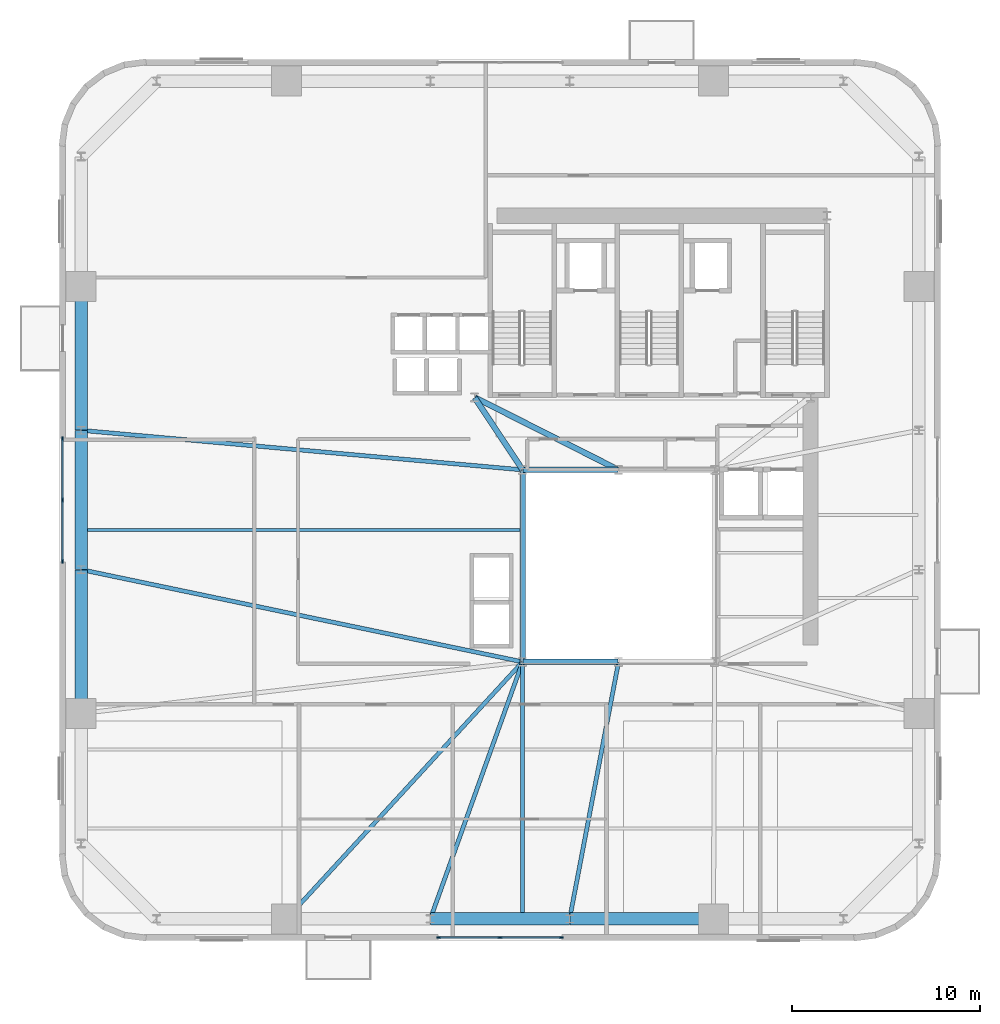
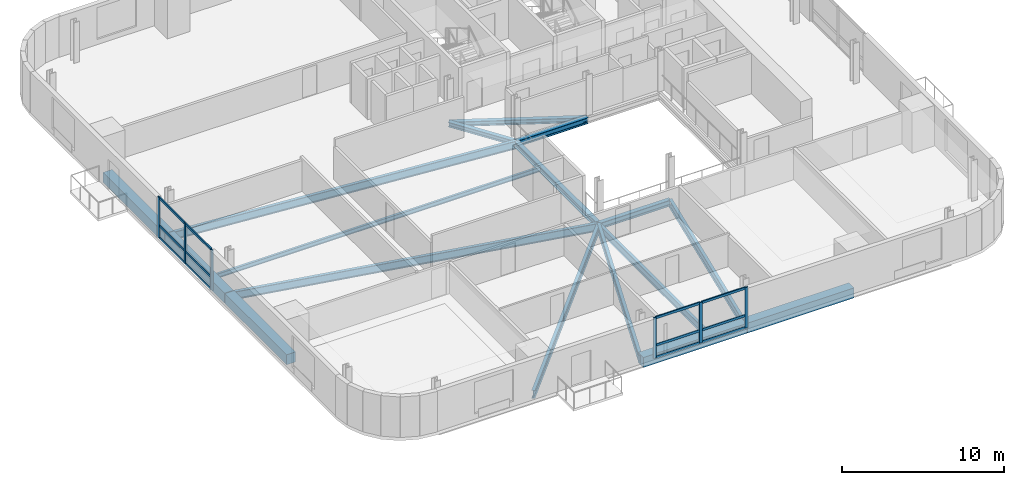
# One storey, part 2 of 14: 18 members, 17 beams, 2 elements without a shape of their own.
"""IFC4 building model written with IfcOpenShell, lengths in metres."""

from ifc_helpers import new_model, si_unit, direction, frame, origin, origin_2d, place, context, subcontext, project, spatial, rectangle, i_section, extrude, source, transform, mapped, material, material_profile, profile_set, type_object, element, aggregate, save


model = new_model("IFC4")

# Units and contexts
model_context = context("Model", 3, precision=1e-05, world=origin(), true_north=direction((0.0, 1.0)))
body_context = subcontext(model_context, "Body", "Model", "MODEL_VIEW")
ifc_project = project(units=[si_unit("LENGTHUNIT", "METRE"), si_unit("AREAUNIT", "SQUARE_METRE"), si_unit("VOLUMEUNIT", "CUBIC_METRE"), si_unit("PLANEANGLEUNIT", "RADIAN"), si_unit("MASSUNIT", "GRAM", prefix="KILO")], contexts=[model_context])

# Site, building, storey
site_placement = place(None, origin())
site = spatial("IfcSite", under=ifc_project, at=site_placement, CompositionType="ELEMENT")
building_placement = place(site_placement, origin())
building = spatial("IfcBuilding", under=site, at=building_placement, Name="Vardaveli Station Tower", CompositionType="ELEMENT")
storey_placement = place(building_placement, frame((0.0, 0.0, 163.10009765625)))
storey = spatial("IfcBuildingStorey", under=building, at=storey_placement, Name="L42", CompositionType="ELEMENT", Elevation=163.10009765625)

# Beams
ifc_material_1 = material(Name="Structural steel S355J2", Category="steel")
ifc_material_profile_1 = material_profile(ifc_material_1, i_section(OverallWidth=0.300048828125, OverallDepth=0.449951171875, WebThickness=0.013916015625, FlangeThickness=0.02587890625, FilletRadius=0.027099609375, at=origin_2d()), Name="HEB 450")
ifc_profile_set_1 = profile_set([ifc_material_profile_1], Name="Structural steel S355J2")
beam_type_1 = type_object("IfcBeamType", Name="BM-HEB450", PredefinedType="BEAM", material=ifc_profile_set_1)
shared_shape_1 = source(origin(), body_context, "Body", "SweptSolid", [
    extrude(i_section(OverallWidth=0.300048828125, OverallDepth=0.449951171875, WebThickness=0.013916015625, FlangeThickness=0.02587890625, FilletRadius=0.027099609375, at=origin_2d()), origin(), (0.0, 0.0, 1.0), 5.06005859375),
])
for number, where, z_axis, x_axis, name in (
    (1, (31.219970703125, 16.60009765625, -0.465087890625), (1.0, 0.0, 0.0), (0.0, 1.0, 0.0), "ABM-L42-01"),
    (2, (36.280029296875, 26.800048828125, -0.465087890625), (-1.0, 0.0, 0.0), (0.0, -1.0, 0.0), "ABM-L42-05"),
):
    element("IfcBeam", number, at=place(storey_placement, frame(where, z_axis=z_axis, x_axis=x_axis)), inside=storey, type_object=beam_type_1, Name=name, PredefinedType="BEAM", context=body_context, shape_type="MappedRepresentation", body=[
        mapped(shared_shape_1, transform((0.0, 0.0, 0.0), scale=1.0)),
    ])
shared_shape_2 = source(origin(), body_context, "Body", "SweptSolid", [
    extrude(i_section(OverallWidth=0.300048828125, OverallDepth=0.449951171875, WebThickness=0.013916015625, FlangeThickness=0.02587890625, FilletRadius=0.027099609375, at=origin_2d()), origin(), (0.0, 0.0, 1.0), 10.159912109375),
])
beam_1_placement = place(storey_placement, frame((31.199951171875, 26.780029296875, -0.465087890625), z_axis=(0.0, -1.0, 0.0), x_axis=(1.0, 0.0, 0.0)))
element("IfcBeam", 3, at=beam_1_placement, inside=storey, type_object=beam_type_1, Name="ABM-L42-06", PredefinedType="BEAM", context=body_context, shape_type="MappedRepresentation", body=[
    mapped(shared_shape_2, transform((0.0, 0.0, 0.0), scale=1.0)),
])
ifc_material_profile_2 = material_profile(ifc_material_1, i_section(OverallWidth=0.300048828125, OverallDepth=0.360107421875, WebThickness=0.012451171875, FlangeThickness=0.0224609375, FilletRadius=0.027099609375, at=origin_2d()), Name="HEB 360")
ifc_profile_set_2 = profile_set([ifc_material_profile_2], Name="Structural steel S355J2")
beam_type_2 = type_object("IfcBeamType", Name="BM-HEB360", PredefinedType="BEAM", material=ifc_profile_set_2)
shared_shape_3 = source(origin(), body_context, "Body", "SweptSolid", [
    extrude(i_section(OverallWidth=0.300048828125, OverallDepth=0.360107421875, WebThickness=0.012451171875, FlangeThickness=0.0224609375, FilletRadius=0.027099609375, at=origin_2d()), origin(), (0.0, 0.0, 1.0), 4.577880859375),
])
beam_2_placement = place(storey_placement, frame((31.18896484375, 26.816650390625, -0.420166015625), z_axis=(-0.55218702139, 0.833720272879, 0.0), x_axis=(-0.833720272879, -0.55218702139, 0.0)))
element("IfcBeam", 4, at=beam_2_placement, inside=storey, type_object=beam_type_2, Name="CBM-L42-01", PredefinedType="BEAM", context=body_context, shape_type="MappedRepresentation", body=[
    mapped(shared_shape_3, transform((0.0, 0.0, 0.0), scale=1.0)),
])
shared_shape_4 = source(origin(), body_context, "Body", "SweptSolid", [
    extrude(i_section(OverallWidth=0.300048828125, OverallDepth=0.360107421875, WebThickness=0.012451171875, FlangeThickness=0.0224609375, FilletRadius=0.027099609375, at=origin_2d()), origin(), (0.0, 0.0, 1.0), 8.524169921875),
])
beam_3_placement = place(storey_placement, frame((28.66796875, 30.64111328125, -0.420166015625), z_axis=(0.893255584708, -0.449549174605, 0.0), x_axis=(0.449549174605, 0.893255584708, 0.0)))
element("IfcBeam", 5, at=beam_3_placement, inside=storey, type_object=beam_type_2, Name="CBM-L42-03", PredefinedType="BEAM", context=body_context, shape_type="MappedRepresentation", body=[
    mapped(shared_shape_4, transform((0.0, 0.0, 0.0), scale=1.0)),
])
ifc_material_2 = material(Name="Precast concrete C45/55", Category="concrete")
ifc_material_profile_3 = material_profile(ifc_material_2, rectangle(XDim=0.64990234375, YDim=0.75, at=origin_2d()), Name="LPB 650x750")
ifc_profile_set_3 = profile_set([ifc_material_profile_3], Name="Precast concrete C45/55")
beam_type_3 = type_object("IfcBeamType", Name="BM-LPB-750", PredefinedType="BEAM", material=ifc_profile_set_3)
shared_shape_5 = source(origin(), body_context, "Body", "SweptSolid", [
    extrude(rectangle(XDim=0.64990234375, YDim=0.75, at=origin_2d()), origin(), (0.0, 0.0, 1.0), 7.60009765625),
])
for number, where, z_axis, x_axis, name in (
    (6, (33.719970703125, 2.949951171875, -0.614990234375), (1.0, 0.0, 0.0), (0.0, 1.0, 0.0), "RBM-L42-03"),
    (7, (7.75, 36.52001953125, -0.614990234375), (0.0, -1.0, 0.0), (1.0, 0.0, 0.0), "RBM-L42-19"),
    (8, (7.75, 21.47998046875, -0.614990234375), (0.0, -1.0, 0.0), (1.0, 0.0, 0.0), "RBM-L42-21"),
):
    element("IfcBeam", number, at=place(storey_placement, frame(where, z_axis=z_axis, x_axis=x_axis)), inside=storey, type_object=beam_type_3, Name=name, PredefinedType="BEAM", context=body_context, shape_type="MappedRepresentation", body=[
        mapped(shared_shape_5, transform((0.0, 0.0, 0.0), scale=1.0)),
    ])
shared_shape_6 = source(origin(), body_context, "Body", "SweptSolid", [
    extrude(rectangle(XDim=0.64990234375, YDim=0.75, at=origin_2d()), origin(), (0.0, 0.0, 1.0), 7.35986328125),
])
for number, where, z_axis, x_axis, name in (
    (9, (26.320068359375, 2.949951171875, -0.614990234375), (1.0, 0.0, 0.0), (0.0, 1.0, 0.0), "RBM-L42-02"),
    (10, (7.75, 28.8798828125, -0.614990234375), (0.0, -1.0, 0.0), (1.0, 0.0, 0.0), "RBM-L42-20"),
):
    element("IfcBeam", number, at=place(storey_placement, frame(where, z_axis=z_axis, x_axis=x_axis)), inside=storey, type_object=beam_type_3, Name=name, PredefinedType="BEAM", context=body_context, shape_type="MappedRepresentation", body=[
        mapped(shared_shape_6, transform((0.0, 0.0, 0.0), scale=1.0)),
    ])
ifc_material_profile_4 = material_profile(ifc_material_1, i_section(OverallWidth=0.2099609375, OverallDepth=0.550048828125, WebThickness=0.010986328125, FlangeThickness=0.01708984375, FilletRadius=0.02392578125, at=origin_2d()), Name="IPE 550")
ifc_profile_set_4 = profile_set([ifc_material_profile_4], Name="Structural steel S355J2")
beam_type_4 = type_object("IfcBeamType", Name="BM-IPE550", PredefinedType="BEAM", material=ifc_profile_set_4)
shared_shape_7 = source(origin(), body_context, "Body", "SweptSolid", [
    extrude(i_section(OverallWidth=0.2099609375, OverallDepth=0.550048828125, WebThickness=0.010986328125, FlangeThickness=0.01708984375, FilletRadius=0.02392578125, at=origin_2d()), origin(), (0.0, 0.0, 1.0), 13.469970703125),
])
beam_4_placement = place(storey_placement, frame((31.199951171875, 2.989990234375, -0.51513671875), z_axis=(0.0, 1.0, 0.0), x_axis=(-1.0, 0.0, 0.0)))
element("IfcBeam", 11, at=beam_4_placement, inside=storey, type_object=beam_type_4, Name="NSM-L42-S1", PredefinedType="BEAM", context=body_context, shape_type="MappedRepresentation", body=[
    mapped(shared_shape_7, transform((0.0, 0.0, 0.0), scale=1.0)),
])
ifc_material_profile_5 = material_profile(ifc_material_1, i_section(OverallWidth=0.159912109375, OverallDepth=0.330078125, WebThickness=0.007568359375, FlangeThickness=0.011474609375, FilletRadius=0.01806640625, at=origin_2d()), Name="IPE 330")
ifc_profile_set_5 = profile_set([ifc_material_profile_5], Name="Structural steel S355J2")
beam_type_5 = type_object("IfcBeamType", Name="BM-IPE330", PredefinedType="JOIST", material=ifc_profile_set_5)
shared_shape_8 = source(origin(), body_context, "Body", "SweptSolid", [
    extrude(i_section(OverallWidth=0.159912109375, OverallDepth=0.330078125, WebThickness=0.007568359375, FlangeThickness=0.011474609375, FilletRadius=0.01806640625, at=origin_2d()), origin(), (0.0, 0.0, 1.0), 23.2978515625),
])
beam_5_placement = place(storey_placement, frame((7.7900390625, 23.60009765625, -0.405029296875), z_axis=(1.0, 0.0, 0.0), x_axis=(0.0, 1.0, 0.0)))
element("IfcBeam", 12, at=beam_5_placement, inside=storey, type_object=beam_type_5, Name="SJ-L42-W06", PredefinedType="JOIST", context=body_context, shape_type="MappedRepresentation", body=[
    mapped(shared_shape_8, transform((0.0, 0.0, 0.0), scale=1.0)),
])
ifc_material_profile_6 = material_profile(ifc_material_1, i_section(OverallWidth=0.219970703125, OverallDepth=0.60009765625, WebThickness=0.011962890625, FlangeThickness=0.01904296875, FilletRadius=0.02392578125, at=origin_2d()), Name="IPE 600")
ifc_profile_set_6 = profile_set([ifc_material_profile_6], Name="Structural steel S355J2")
beam_type_6 = type_object("IfcBeamType", Name="BM-IPE600", PredefinedType="BEAM", material=ifc_profile_set_6)
shared_shape_9 = source(origin(), body_context, "Body", "SweptSolid", [
    extrude(i_section(OverallWidth=0.219970703125, OverallDepth=0.60009765625, WebThickness=0.011962890625, FlangeThickness=0.01904296875, FilletRadius=0.02392578125, at=origin_2d()), origin(), (0.0, 0.0, 1.0), 18.49560546875),
])
beam_6_placement = place(storey_placement, frame((18.673583984375, 2.96484375, -0.5400390625), z_axis=(0.676535341891, 0.736410165039, 0.0), x_axis=(-0.736410165039, 0.676535341891, 0.0)))
element("IfcBeam", 13, at=beam_6_placement, inside=storey, type_object=beam_type_6, Name="GBM-L42-01", PredefinedType="BEAM", context=body_context, shape_type="MappedRepresentation", body=[
    mapped(shared_shape_9, transform((0.0, 0.0, 0.0), scale=1.0)),
])
shared_shape_10 = source(origin(), body_context, "Body", "SweptSolid", [
    extrude(i_section(OverallWidth=0.219970703125, OverallDepth=0.60009765625, WebThickness=0.011962890625, FlangeThickness=0.01904296875, FilletRadius=0.02392578125, at=origin_2d()), origin(), (0.0, 0.0, 1.0), 14.462890625),
])
beam_7_placement = place(storey_placement, frame((26.306640625, 2.96875, -0.5400390625), z_axis=(0.337880090533, 0.941189165057, 0.0), x_axis=(-0.941189165057, 0.337880090533, 0.0)))
element("IfcBeam", 14, at=beam_7_placement, inside=storey, type_object=beam_type_6, Name="GBM-L42-02", PredefinedType="BEAM", context=body_context, shape_type="MappedRepresentation", body=[
    mapped(shared_shape_10, transform((0.0, 0.0, 0.0), scale=1.0)),
])
shared_shape_11 = source(origin(), body_context, "Body", "SweptSolid", [
    extrude(i_section(OverallWidth=0.219970703125, OverallDepth=0.60009765625, WebThickness=0.011962890625, FlangeThickness=0.01904296875, FilletRadius=0.02392578125, at=origin_2d()), origin(), (0.0, 0.0, 1.0), 13.855224609375),
])
beam_8_placement = place(storey_placement, frame((33.703857421875, 2.9697265625, -0.5400390625), z_axis=(0.187097533125, 0.982341342456, 0.0), x_axis=(-0.982341342456, 0.187097533125, 0.0)))
element("IfcBeam", 15, at=beam_8_placement, inside=storey, type_object=beam_type_6, Name="GBM-L42-03", PredefinedType="BEAM", context=body_context, shape_type="MappedRepresentation", body=[
    mapped(shared_shape_11, transform((0.0, 0.0, 0.0), scale=1.0)),
])
shared_shape_12 = source(origin(), body_context, "Body", "SweptSolid", [
    extrude(i_section(OverallWidth=0.219970703125, OverallDepth=0.60009765625, WebThickness=0.011962890625, FlangeThickness=0.01904296875, FilletRadius=0.02392578125, at=origin_2d()), origin(), (0.0, 0.0, 1.0), 23.50390625),
])
beam_9_placement = place(storey_placement, frame((7.77001953125, 28.898193359375, -0.5400390625), z_axis=(0.996014142198, -0.08919545135, 0.0), x_axis=(0.08919545135, 0.996014142198, 0.0)))
element("IfcBeam", 16, at=beam_9_placement, inside=storey, type_object=beam_type_6, Name="GBM-L42-08", PredefinedType="BEAM", context=body_context, shape_type="MappedRepresentation", body=[
    mapped(shared_shape_12, transform((0.0, 0.0, 0.0), scale=1.0)),
])
shared_shape_13 = source(origin(), body_context, "Body", "SweptSolid", [
    extrude(i_section(OverallWidth=0.219970703125, OverallDepth=0.60009765625, WebThickness=0.011962890625, FlangeThickness=0.01904296875, FilletRadius=0.02392578125, at=origin_2d()), origin(), (0.0, 0.0, 1.0), 23.91650390625),
])
beam_10_placement = place(storey_placement, frame((7.76953125, 21.495849609375, -0.5400390625), z_axis=(0.978858547354, -0.204538368703, 0.0), x_axis=(0.204538368703, 0.978858547354, 0.0)))
element("IfcBeam", 17, at=beam_10_placement, inside=storey, type_object=beam_type_6, Name="GBM-L42-09", PredefinedType="BEAM", context=body_context, shape_type="MappedRepresentation", body=[
    mapped(shared_shape_13, transform((0.0, 0.0, 0.0), scale=1.0)),
])

# Curtain wall, members
ifc_material_3 = material(Name="Travertine stone and solar-control glass", Category="masonry")
curtain_wall_type = type_object("IfcCurtainWallType", Name="CW-SYS-2", PredefinedType="NOTDEFINED", material=ifc_material_3)
curtain_wall_1_placement = place(storey_placement, origin())
curtain_wall_1 = element("IfcCurtainWall", 18, at=curtain_wall_1_placement, inside=storey, type_object=curtain_wall_type, Name="CW-L42-S", PredefinedType="NOTDEFINED")
ifc_material_4 = material(Name="Anodised aluminium alloy 6063-T6", Category="aluminium")
ifc_material_profile_7 = material_profile(ifc_material_4, rectangle(XDim=0.0849609375, YDim=0.179931640625, at=origin_2d()), Name="CWT 85x180")
ifc_profile_set_7 = profile_set([ifc_material_profile_7], Name="Anodised aluminium alloy 6063-T6")
member_type_1 = type_object("IfcMemberType", Name="CW-SYS-2-TRAN", PredefinedType="NOTDEFINED", material=ifc_profile_set_7)
shared_shape_14 = source(origin(), body_context, "Body", "SweptSolid", [
    extrude(rectangle(XDim=0.0849609375, YDim=0.179931640625, at=origin_2d()), origin(), (0.0, 0.0, 1.0), 3.172607421875),
])
member_1_placement = place(storey_placement, frame((26.784912109375, 1.9599609375, 0.04248046875), z_axis=(1.0, 0.0, 0.0), x_axis=(0.0, 1.0, 0.0)))
member_1 = element("IfcMember", 19, at=member_1_placement, type_object=member_type_1, Name="CW-2 transom 1.1", ObjectType="TRANSOM", PredefinedType="USERDEFINED", context=body_context, shape_type="MappedRepresentation", body=[
    mapped(shared_shape_14, transform((0.0, 0.0, 0.0), scale=1.0)),
])
member_2_placement = place(storey_placement, frame((26.784912109375, 1.9599609375, 0.949951171875), z_axis=(1.0, 0.0, 0.0), x_axis=(0.0, 1.0, 0.0)))
member_2 = element("IfcMember", 20, at=member_2_placement, type_object=member_type_1, Name="CW-2 transom 1.2", ObjectType="TRANSOM", PredefinedType="USERDEFINED", context=body_context, shape_type="MappedRepresentation", body=[
    mapped(shared_shape_14, transform((0.0, 0.0, 0.0), scale=1.0)),
])
member_3_placement = place(storey_placement, frame((26.784912109375, 1.9599609375, 3.00732421875), z_axis=(1.0, 0.0, 0.0), x_axis=(0.0, 1.0, 0.0)))
member_3 = element("IfcMember", 21, at=member_3_placement, type_object=member_type_1, Name="CW-2 transom 1.3", ObjectType="TRANSOM", PredefinedType="USERDEFINED", context=body_context, shape_type="MappedRepresentation", body=[
    mapped(shared_shape_14, transform((0.0, 0.0, 0.0), scale=1.0)),
])
member_4_placement = place(storey_placement, frame((30.04248046875, 1.9599609375, 0.04248046875), z_axis=(1.0, 0.0, 0.0), x_axis=(0.0, 1.0, 0.0)))
member_4 = element("IfcMember", 22, at=member_4_placement, type_object=member_type_1, Name="CW-2 transom 2.1", ObjectType="TRANSOM", PredefinedType="USERDEFINED", context=body_context, shape_type="MappedRepresentation", body=[
    mapped(shared_shape_14, transform((0.0, 0.0, 0.0), scale=1.0)),
])
member_5_placement = place(storey_placement, frame((30.04248046875, 1.9599609375, 0.949951171875), z_axis=(1.0, 0.0, 0.0), x_axis=(0.0, 1.0, 0.0)))
member_5 = element("IfcMember", 23, at=member_5_placement, type_object=member_type_1, Name="CW-2 transom 2.2", ObjectType="TRANSOM", PredefinedType="USERDEFINED", context=body_context, shape_type="MappedRepresentation", body=[
    mapped(shared_shape_14, transform((0.0, 0.0, 0.0), scale=1.0)),
])
member_6_placement = place(storey_placement, frame((30.04248046875, 1.9599609375, 3.00732421875), z_axis=(1.0, 0.0, 0.0), x_axis=(0.0, 1.0, 0.0)))
member_6 = element("IfcMember", 24, at=member_6_placement, type_object=member_type_1, Name="CW-2 transom 2.3", ObjectType="TRANSOM", PredefinedType="USERDEFINED", context=body_context, shape_type="MappedRepresentation", body=[
    mapped(shared_shape_14, transform((0.0, 0.0, 0.0), scale=1.0)),
])

curtain_wall_2_placement = place(storey_placement, origin())
curtain_wall_2 = element("IfcCurtainWall", 25, at=curtain_wall_2_placement, inside=storey, type_object=curtain_wall_type, Name="CW-L42-W", PredefinedType="NOTDEFINED")
member_7_placement = place(storey_placement, frame((6.760009765625, 28.4150390625, 0.04248046875), z_axis=(0.0, -1.0, 0.0), x_axis=(1.0, 0.0, 0.0)))
member_7 = element("IfcMember", 26, at=member_7_placement, type_object=member_type_1, Name="CW-2 transom 1.1", ObjectType="TRANSOM", PredefinedType="USERDEFINED", context=body_context, shape_type="MappedRepresentation", body=[
    mapped(shared_shape_14, transform((0.0, 0.0, 0.0), scale=1.0)),
])
member_8_placement = place(storey_placement, frame((6.760009765625, 28.4150390625, 0.949951171875), z_axis=(0.0, -1.0, 0.0), x_axis=(1.0, 0.0, 0.0)))
member_8 = element("IfcMember", 27, at=member_8_placement, type_object=member_type_1, Name="CW-2 transom 1.2", ObjectType="TRANSOM", PredefinedType="USERDEFINED", context=body_context, shape_type="MappedRepresentation", body=[
    mapped(shared_shape_14, transform((0.0, 0.0, 0.0), scale=1.0)),
])
member_9_placement = place(storey_placement, frame((6.760009765625, 28.4150390625, 3.00732421875), z_axis=(0.0, -1.0, 0.0), x_axis=(1.0, 0.0, 0.0)))
member_9 = element("IfcMember", 28, at=member_9_placement, type_object=member_type_1, Name="CW-2 transom 1.3", ObjectType="TRANSOM", PredefinedType="USERDEFINED", context=body_context, shape_type="MappedRepresentation", body=[
    mapped(shared_shape_14, transform((0.0, 0.0, 0.0), scale=1.0)),
])
shared_shape_15 = source(origin(), body_context, "Body", "SweptSolid", [
    extrude(rectangle(XDim=0.0849609375, YDim=0.179931640625, at=origin_2d()), origin(), (0.0, 0.0, 1.0), 3.17236328125),
])
member_10_placement = place(storey_placement, frame((6.760009765625, 25.157470703125, 0.04248046875), z_axis=(0.0, -1.0, 0.0), x_axis=(1.0, 0.0, 0.0)))
member_10 = element("IfcMember", 29, at=member_10_placement, type_object=member_type_1, Name="CW-2 transom 2.1", ObjectType="TRANSOM", PredefinedType="USERDEFINED", context=body_context, shape_type="MappedRepresentation", body=[
    mapped(shared_shape_15, transform((0.0, 0.0, 0.0), scale=1.0)),
])
member_11_placement = place(storey_placement, frame((6.760009765625, 25.157470703125, 0.949951171875), z_axis=(0.0, -1.0, 0.0), x_axis=(1.0, 0.0, 0.0)))
member_11 = element("IfcMember", 30, at=member_11_placement, type_object=member_type_1, Name="CW-2 transom 2.2", ObjectType="TRANSOM", PredefinedType="USERDEFINED", context=body_context, shape_type="MappedRepresentation", body=[
    mapped(shared_shape_15, transform((0.0, 0.0, 0.0), scale=1.0)),
])
member_12_placement = place(storey_placement, frame((6.760009765625, 25.157470703125, 3.00732421875), z_axis=(0.0, -1.0, 0.0), x_axis=(1.0, 0.0, 0.0)))
member_12 = element("IfcMember", 31, at=member_12_placement, type_object=member_type_1, Name="CW-2 transom 2.3", ObjectType="TRANSOM", PredefinedType="USERDEFINED", context=body_context, shape_type="MappedRepresentation", body=[
    mapped(shared_shape_15, transform((0.0, 0.0, 0.0), scale=1.0)),
])

# Member
ifc_material_profile_8 = material_profile(ifc_material_4, rectangle(XDim=0.0849609375, YDim=0.219970703125, at=origin_2d()), Name="CWM 85x220")
ifc_profile_set_8 = profile_set([ifc_material_profile_8], Name="Anodised aluminium alloy 6063-T6")
member_type_2 = type_object("IfcMemberType", Name="CW-SYS-2-MULL", PredefinedType="MULLION", material=ifc_profile_set_8)
shared_shape_16 = source(origin(), body_context, "Body", "SweptSolid", [
    extrude(rectangle(XDim=0.0849609375, YDim=0.219970703125, at=origin_2d()), origin(), (0.0, 0.0, 1.0), 3.0498046875),
])
member_13_placement = place(storey_placement, frame((26.742431640625, 1.9599609375, 0.0), z_axis=(0.0, 0.0, 1.0), x_axis=(0.0, 1.0, 0.0)))
member_13 = element("IfcMember", 32, at=member_13_placement, type_object=member_type_2, Name="CW-2 mullion 1", PredefinedType="MULLION", context=body_context, shape_type="MappedRepresentation", body=[
    mapped(shared_shape_16, transform((0.0, 0.0, 0.0), scale=1.0)),
])

member_14_placement = place(storey_placement, frame((30.0, 1.9599609375, 0.0), z_axis=(0.0, 0.0, 1.0), x_axis=(0.0, 1.0, 0.0)))
member_14 = element("IfcMember", 33, at=member_14_placement, type_object=member_type_2, Name="CW-2 mullion 2", PredefinedType="MULLION", context=body_context, shape_type="MappedRepresentation", body=[
    mapped(shared_shape_16, transform((0.0, 0.0, 0.0), scale=1.0)),
])

member_15_placement = place(storey_placement, frame((33.257568359375, 1.9599609375, 0.0), z_axis=(0.0, 0.0, 1.0), x_axis=(0.0, 1.0, 0.0)))
member_15 = element("IfcMember", 34, at=member_15_placement, type_object=member_type_2, Name="CW-2 mullion 3", PredefinedType="MULLION", context=body_context, shape_type="MappedRepresentation", body=[
    mapped(shared_shape_16, transform((0.0, 0.0, 0.0), scale=1.0)),
])

aggregate(curtain_wall_1, [member_13, member_14, member_15, member_1, member_2, member_3, member_4, member_5, member_6])

member_16_placement = place(storey_placement, frame((6.760009765625, 28.45751953125, 0.0), z_axis=(0.0, 0.0, 1.0), x_axis=(1.0, 0.0, 0.0)))
member_16 = element("IfcMember", 35, at=member_16_placement, type_object=member_type_2, Name="CW-2 mullion 1", PredefinedType="MULLION", context=body_context, shape_type="MappedRepresentation", body=[
    mapped(shared_shape_16, transform((0.0, 0.0, 0.0), scale=1.0)),
])

member_17_placement = place(storey_placement, frame((6.760009765625, 25.199951171875, 0.0), z_axis=(0.0, 0.0, 1.0), x_axis=(1.0, 0.0, 0.0)))
member_17 = element("IfcMember", 36, at=member_17_placement, type_object=member_type_2, Name="CW-2 mullion 2", PredefinedType="MULLION", context=body_context, shape_type="MappedRepresentation", body=[
    mapped(shared_shape_16, transform((0.0, 0.0, 0.0), scale=1.0)),
])

member_18_placement = place(storey_placement, frame((6.760009765625, 21.9423828125, 0.0), z_axis=(0.0, 0.0, 1.0), x_axis=(1.0, 0.0, 0.0)))
member_18 = element("IfcMember", 37, at=member_18_placement, type_object=member_type_2, Name="CW-2 mullion 3", PredefinedType="MULLION", context=body_context, shape_type="MappedRepresentation", body=[
    mapped(shared_shape_16, transform((0.0, 0.0, 0.0), scale=1.0)),
])

aggregate(curtain_wall_2, [member_16, member_17, member_18, member_7, member_8, member_9, member_10, member_11, member_12])

save(model, "model.ifc")
